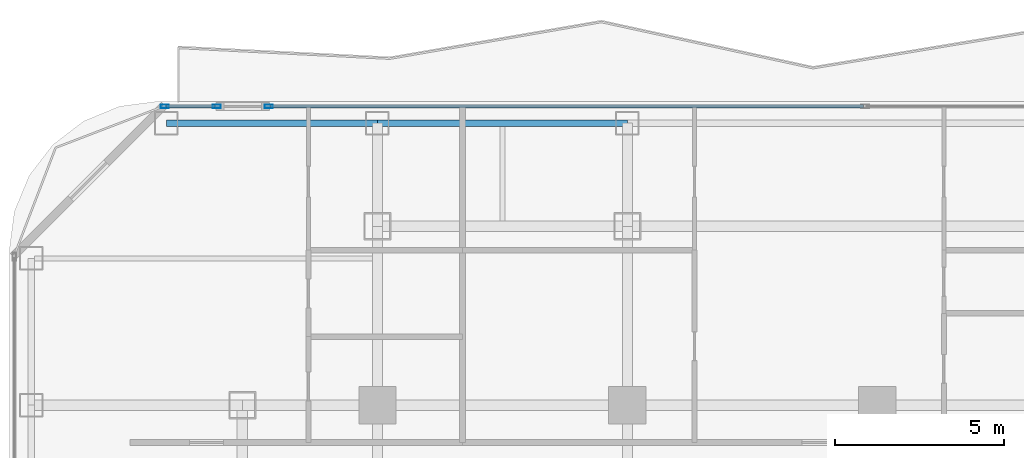
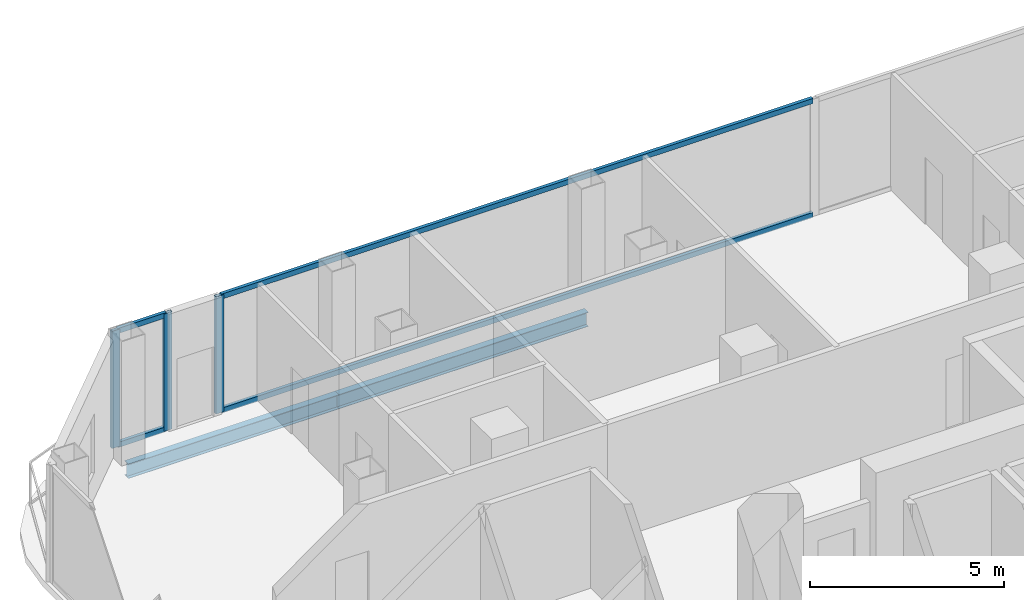
# One storey, part 13 of 27: 7 members, 2 beams, 2 elements without a shape of their own.
"""IFC4 building model written with IfcOpenShell, lengths in metres."""

from ifc_helpers import new_model, si_unit, direction, frame, origin, origin_2d, place, context, subcontext, project, spatial, hollow_rectangle, i_section, extrude, material, layer, layer_set, material_profile, profile_set, type_object, element, aggregate, save


model = new_model("IFC4")

# Units and contexts
model_context = context("Model", 3, precision=1e-05, world=origin(), true_north=direction((0.0, 1.0)))
body_context = subcontext(model_context, "Body", "Model", "MODEL_VIEW")
ifc_project = project(units=[si_unit("LENGTHUNIT", "METRE"), si_unit("AREAUNIT", "SQUARE_METRE"), si_unit("VOLUMEUNIT", "CUBIC_METRE"), si_unit("PLANEANGLEUNIT", "RADIAN"), si_unit("MASSUNIT", "GRAM", prefix="KILO")], contexts=[model_context])

# Site, building, storey
site_placement = place(None, origin())
site = spatial("IfcSite", under=ifc_project, at=site_placement, CompositionType="ELEMENT")
building_placement = place(site_placement, origin())
building = spatial("IfcBuilding", under=site, at=building_placement, Name="Khorvyn Point Tower", CompositionType="ELEMENT")
storey_placement = place(building_placement, frame((0.0, 0.0, 179.699951171875)))
storey = spatial("IfcBuildingStorey", under=building, at=storey_placement, Name="L44", CompositionType="ELEMENT", Elevation=179.699951171875)

# Curtain wall, members
ifc_material_1 = material(Name="Anodised aluminium 6063-T6 and laminated Low-E glass", Category="aluminium")
ifc_layer = layer(ifc_material_1, 0.18994140625)
ifc_layer_set = layer_set([ifc_layer], Name="Stick-Built Acoustic Curtain Wall CW-SYS-03")
curtain_wall_type = type_object("IfcCurtainWallType", Name="Stick-Built Acoustic Curtain Wall CW-SYS-03", PredefinedType="NOTDEFINED", material=ifc_layer_set)
curtain_wall_1_placement = place(storey_placement, origin())
curtain_wall_1 = element("IfcCurtainWall", 1, at=curtain_wall_1_placement, inside=storey, type_object=curtain_wall_type, Name="Curtain Wall", PredefinedType="NOTDEFINED")
ifc_material_2 = material(Name="Anodised aluminium 6063-T6", Category="aluminium")
ifc_material_profile_1 = material_profile(ifc_material_2, hollow_rectangle(XDim=0.10009765625, YDim=0.239990234375, WallThickness=0.0048828125, at=origin_2d()))
ifc_profile_set_1 = profile_set([ifc_material_profile_1], Name="Anodised aluminium 6063-T6 ALU-MUL-100x240")
member_type_1 = type_object("IfcMemberType", Name="Anodised Aluminium 6063-T6 Mullion ALU-MUL-100x240", PredefinedType="MULLION", material=ifc_profile_set_1)
member_1_placement = place(storey_placement, frame((-21.10009765625, 23.64990234375, 0.0), z_axis=(0.0, 0.0, 1.0), x_axis=(0.0, 1.0, 0.0)))
member_1 = element("IfcMember", 2, at=member_1_placement, type_object=member_type_1, Name="Transom", PredefinedType="MULLION", context=body_context, shape_type="SweptSolid", body=[
    extrude(hollow_rectangle(XDim=0.10009765625, YDim=0.239990234375, WallThickness=0.0048828125, at=origin_2d()), origin(), (0.0, 0.0, 1.0), 3.679931640625),
])
member_2_placement = place(storey_placement, frame((-19.55810546875, 23.64990234375, 0.0), z_axis=(0.0, 0.0, 1.0), x_axis=(0.0, 1.0, 0.0)))
member_2 = element("IfcMember", 3, at=member_2_placement, type_object=member_type_1, Name="Transom", PredefinedType="MULLION", context=body_context, shape_type="SweptSolid", body=[
    extrude(hollow_rectangle(XDim=0.10009765625, YDim=0.239990234375, WallThickness=0.0048828125, at=origin_2d()), origin(), (0.0, 0.0, 1.0), 3.679931640625),
])

# Curtain wall, member
curtain_wall_2_placement = place(storey_placement, origin())
curtain_wall_2 = element("IfcCurtainWall", 4, at=curtain_wall_2_placement, inside=storey, type_object=curtain_wall_type, Name="Curtain Wall", PredefinedType="NOTDEFINED")
member_3_placement = place(storey_placement, frame((-18.01806640625, 23.64990234375, 0.0), z_axis=(0.0, 0.0, 1.0), x_axis=(0.0, 1.0, 0.0)))
member_3 = element("IfcMember", 5, at=member_3_placement, type_object=member_type_1, Name="Transom", PredefinedType="MULLION", context=body_context, shape_type="SweptSolid", body=[
    extrude(hollow_rectangle(XDim=0.10009765625, YDim=0.239990234375, WallThickness=0.0048828125, at=origin_2d()), origin(), (0.0, 0.0, 1.0), 3.679931640625),
])

# Member
ifc_material_profile_2 = material_profile(ifc_material_2, hollow_rectangle(XDim=0.10009765625, YDim=0.159912109375, WallThickness=0.00439453125, at=origin_2d()))
ifc_profile_set_2 = profile_set([ifc_material_profile_2], Name="Anodised aluminium 6063-T6 ALU-TRN-100x160")
member_type_2 = type_object("IfcMemberType", Name="Anodised Aluminium 6063-T6 Transom ALU-TRN-100x160", PredefinedType="USERDEFINED", material=ifc_profile_set_2)
member_4_placement = place(storey_placement, frame((-21.050048828125, 23.64990234375, 0.050048828125), z_axis=(1.0, 0.0, 0.0), x_axis=(0.0, 1.0, 0.0)))
member_4 = element("IfcMember", 6, at=member_4_placement, type_object=member_type_2, Name="Transom", ObjectType="TRANSOM", PredefinedType="USERDEFINED", context=body_context, shape_type="SweptSolid", body=[
    extrude(hollow_rectangle(XDim=0.10009765625, YDim=0.159912109375, WallThickness=0.00439453125, at=origin_2d()), origin(), (0.0, 0.0, 1.0), 1.442138671875),
])

member_5_placement = place(storey_placement, frame((-21.050048828125, 23.64990234375, 3.630126953125), z_axis=(1.0, 0.0, 0.0), x_axis=(0.0, 1.0, 0.0)))
member_5 = element("IfcMember", 7, at=member_5_placement, type_object=member_type_2, Name="Transom", ObjectType="TRANSOM", PredefinedType="USERDEFINED", context=body_context, shape_type="SweptSolid", body=[
    extrude(hollow_rectangle(XDim=0.10009765625, YDim=0.159912109375, WallThickness=0.00439453125, at=origin_2d()), origin(), (0.0, 0.0, 1.0), 1.442138671875),
])

aggregate(curtain_wall_1, [member_1, member_2, member_4, member_5])

member_6_placement = place(storey_placement, frame((-17.968017578125, 23.64990234375, 0.050048828125), z_axis=(1.0, 0.0, 0.0), x_axis=(0.0, 1.0, 0.0)))
member_6 = element("IfcMember", 8, at=member_6_placement, type_object=member_type_2, Name="Transom", ObjectType="TRANSOM", PredefinedType="USERDEFINED", context=body_context, shape_type="SweptSolid", body=[
    extrude(hollow_rectangle(XDim=0.10009765625, YDim=0.159912109375, WallThickness=0.00439453125, at=origin_2d()), origin(), (0.0, 0.0, 1.0), 17.55908203125),
])

member_7_placement = place(storey_placement, frame((-17.968017578125, 23.64990234375, 3.630126953125), z_axis=(1.0, 0.0, 0.0), x_axis=(0.0, 1.0, 0.0)))
member_7 = element("IfcMember", 9, at=member_7_placement, type_object=member_type_2, Name="Transom", ObjectType="TRANSOM", PredefinedType="USERDEFINED", context=body_context, shape_type="SweptSolid", body=[
    extrude(hollow_rectangle(XDim=0.10009765625, YDim=0.159912109375, WallThickness=0.00439453125, at=origin_2d()), origin(), (0.0, 0.0, 1.0), 17.55908203125),
])

aggregate(curtain_wall_2, [member_3, member_6, member_7])

# Beams
ifc_material_3 = material(Name="Steel S355", Category="steel")
ifc_material_profile_3 = material_profile(ifc_material_3, i_section(OverallWidth=0.199951171875, OverallDepth=0.449951171875, WebThickness=0.009033203125, FlangeThickness=0.013916015625, at=origin_2d()))
ifc_profile_set_3 = profile_set([ifc_material_profile_3], Name="Steel S355 H450x200x9x14")
beam_type = type_object("IfcBeamType", Name="Steel S355 Spandrel H450x200x9x14", PredefinedType="SPANDREL", material=ifc_profile_set_3)
beam_1_placement = place(storey_placement, frame((-21.050048828125, 23.14990234375, -0.445068359375), z_axis=(1.0, 0.0, 0.0), x_axis=(0.0, 1.0, 0.0)))
element("IfcBeam", 10, at=beam_1_placement, inside=storey, type_object=beam_type, Name="Beam", PredefinedType="SPANDREL", context=body_context, shape_type="SweptSolid", body=[
    extrude(i_section(OverallWidth=0.199951171875, OverallDepth=0.449951171875, WebThickness=0.009033203125, FlangeThickness=0.013916015625, at=origin_2d()), origin(), (0.0, 0.0, 1.0), 6.25),
])
beam_2_placement = place(storey_placement, frame((-14.800048828125, 23.14990234375, -0.445068359375), z_axis=(1.0, 0.0, 0.0), x_axis=(0.0, 1.0, 0.0)))
element("IfcBeam", 11, at=beam_2_placement, inside=storey, type_object=beam_type, Name="Beam", PredefinedType="SPANDREL", context=body_context, shape_type="SweptSolid", body=[
    extrude(i_section(OverallWidth=0.199951171875, OverallDepth=0.449951171875, WebThickness=0.009033203125, FlangeThickness=0.013916015625, at=origin_2d()), origin(), (0.0, 0.0, 1.0), 7.400146484375),
])

save(model, "model.ifc")
